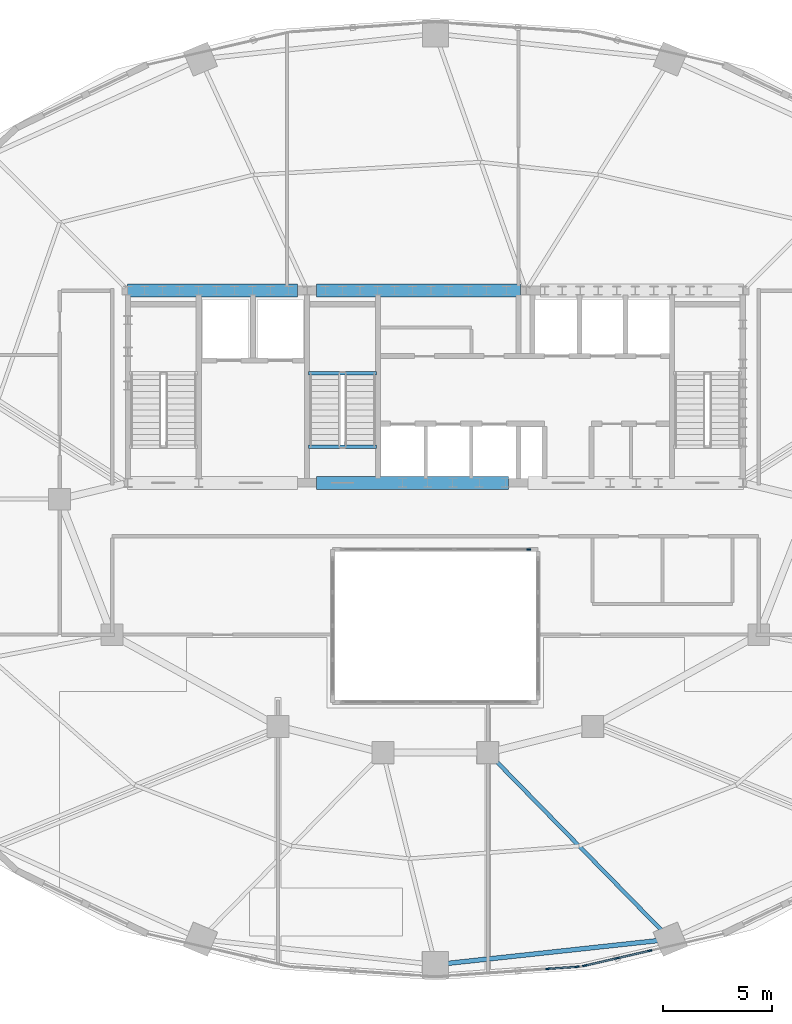
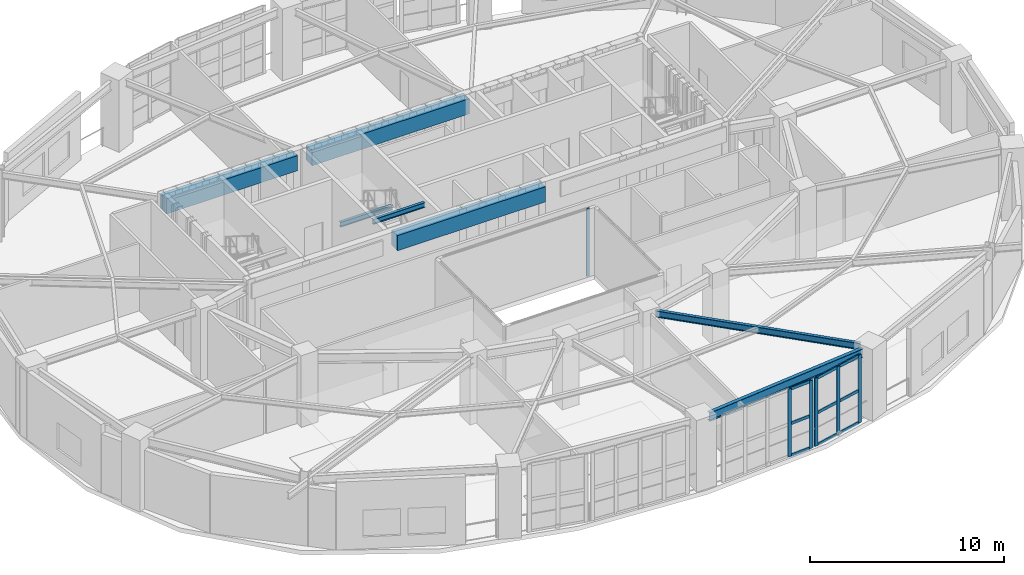
# One storey, part 5 of 16: 15 members, 7 beams, 3 elements without a shape of their own.
"""IFC4 building model written with IfcOpenShell, lengths in metres."""

from ifc_helpers import new_model, si_unit, direction, frame, origin, origin_2d, place, context, subcontext, project, spatial, rectangle, i_section, extrude, material, material_profile, profile_set, type_object, element, aggregate, save


model = new_model("IFC4")

# Units and contexts
model_context = context("Model", 3, precision=1e-05, world=origin(), true_north=direction((0.0, 1.0)))
body_context = subcontext(model_context, "Body", "Model", "MODEL_VIEW")
ifc_project = project(units=[si_unit("LENGTHUNIT", "METRE"), si_unit("AREAUNIT", "SQUARE_METRE"), si_unit("VOLUMEUNIT", "CUBIC_METRE"), si_unit("PLANEANGLEUNIT", "RADIAN"), si_unit("MASSUNIT", "GRAM", prefix="KILO")], contexts=[model_context])

# Site, building, storey
site_placement = place(None, origin())
site = spatial("IfcSite", under=ifc_project, at=site_placement, CompositionType="ELEMENT")
building_placement = place(site_placement, origin())
building = spatial("IfcBuilding", under=site, at=building_placement, Name="Haldorwick Loom Tower", CompositionType="ELEMENT")
storey_placement = place(building_placement, frame((0.0, 0.0, 200.35009765625)))
storey = spatial("IfcBuildingStorey", under=building, at=storey_placement, Name="L54", CompositionType="ELEMENT", Elevation=200.35009765625)

# Curtain wall, member
ifc_material_1 = material(Name="Thermally Broken Anodized Aluminium Curtain Wall Framing", Category="aluminium")
curtain_wall_type_1 = type_object("IfcCurtainWallType", Name="ARC-CW-03", PredefinedType="NOTDEFINED", material=ifc_material_1)
curtain_wall_1_placement = place(storey_placement, origin())
curtain_wall_1 = element("IfcCurtainWall", 1, at=curtain_wall_1_placement, inside=storey, type_object=curtain_wall_type_1, Name="L54 Atrium Glazed Screen N", PredefinedType="NOTDEFINED")
ifc_material_profile_1 = material_profile(ifc_material_1, rectangle(XDim=0.06591796875, YDim=0.18505859375, at=origin_2d()), Name="ALU_MUL_66X185", Category="aluminium")
ifc_profile_set_1 = profile_set([ifc_material_profile_1], Name="Thermally Broken Anodized Aluminium Curtain Wall Framing")
member_type_1 = type_object("IfcMemberType", Name="ARC-CWM-03", PredefinedType="MULLION", material=ifc_profile_set_1)
member_1_placement = place(storey_placement, frame((40.26708984375, 23.699951171875, 0.0), z_axis=(0.0, 0.0, 1.0), x_axis=(0.0, 1.0, 0.0)))
member_1 = element("IfcMember", 2, at=member_1_placement, type_object=member_type_1, Name="CW-03 mullion 6", PredefinedType="MULLION", context=body_context, shape_type="SweptSolid", body=[
    extrude(rectangle(XDim=0.06591796875, YDim=0.18505859375, at=origin_2d()), origin(), (0.0, 0.0, 1.0), 4.260009765625),
])
aggregate(curtain_wall_1, [member_1])

# Curtain wall, members
curtain_wall_type_2 = type_object("IfcCurtainWallType", Name="ARC-CW-04", PredefinedType="NOTDEFINED", material=ifc_material_1)
curtain_wall_2_placement = place(storey_placement, origin())
curtain_wall_2 = element("IfcCurtainWall", 3, at=curtain_wall_2_placement, inside=storey, type_object=curtain_wall_type_2, Name="L54 Facade Curtain Wall CW-04 Bay 19", PredefinedType="NOTDEFINED")
ifc_material_profile_2 = material_profile(ifc_material_1, rectangle(XDim=0.072021484375, YDim=0.205078125, at=origin_2d()), Name="ALU_MUL_72X205", Category="aluminium")
ifc_profile_set_2 = profile_set([ifc_material_profile_2], Name="Thermally Broken Anodized Aluminium Curtain Wall Framing")
member_type_2 = type_object("IfcMemberType", Name="ARC-CWM-04", PredefinedType="MULLION", material=ifc_profile_set_2)
member_2_placement = place(storey_placement, frame((41.15283203125, 4.509033203125, 0.0), z_axis=(0.0, 0.0, 1.0), x_axis=(-0.068513392431, 0.997650196741, 0.0)))
member_2 = element("IfcMember", 4, at=member_2_placement, type_object=member_type_2, Name="CW-04 mullion 4", PredefinedType="MULLION", context=body_context, shape_type="SweptSolid", body=[
    extrude(rectangle(XDim=0.072021484375, YDim=0.205078125, at=origin_2d()), origin(), (0.0, 0.0, 1.0), 4.260009765625),
])
member_3_placement = place(storey_placement, frame((42.48974609375, 4.600830078125, 0.0), z_axis=(0.0, 0.0, 1.0), x_axis=(-0.068513392431, 0.997650196741, 0.0)))
member_3 = element("IfcMember", 5, at=member_3_placement, type_object=member_type_2, Name="CW-04 mullion 5", PredefinedType="MULLION", context=body_context, shape_type="SweptSolid", body=[
    extrude(rectangle(XDim=0.072021484375, YDim=0.205078125, at=origin_2d()), origin(), (0.0, 0.0, 1.0), 4.260009765625),
])

curtain_wall_3_placement = place(storey_placement, origin())
curtain_wall_3 = element("IfcCurtainWall", 6, at=curtain_wall_3_placement, inside=storey, type_object=curtain_wall_type_2, Name="L54 Facade Curtain Wall CW-04 Bay 20", PredefinedType="NOTDEFINED")
member_4_placement = place(storey_placement, frame((42.8369140625, 4.65234375, 0.0), z_axis=(0.0, 0.0, 1.0), x_axis=(-0.224141611493, 0.974556585323, 0.0)))
member_4 = element("IfcMember", 7, at=member_4_placement, type_object=member_type_2, Name="CW-04 mullion 1", PredefinedType="MULLION", context=body_context, shape_type="SweptSolid", body=[
    extrude(rectangle(XDim=0.072021484375, YDim=0.205078125, at=origin_2d()), origin(), (0.0, 0.0, 1.0), 4.260009765625),
])
member_5_placement = place(storey_placement, frame((44.32373046875, 4.994140625, 0.0), z_axis=(0.0, 0.0, 1.0), x_axis=(-0.224141611493, 0.974556585323, 0.0)))
member_5 = element("IfcMember", 8, at=member_5_placement, type_object=member_type_2, Name="CW-04 mullion 2", PredefinedType="MULLION", context=body_context, shape_type="SweptSolid", body=[
    extrude(rectangle(XDim=0.072021484375, YDim=0.205078125, at=origin_2d()), origin(), (0.0, 0.0, 1.0), 4.260009765625),
])
member_6_placement = place(storey_placement, frame((45.810791015625, 5.336181640625, 0.0), z_axis=(0.0, 0.0, 1.0), x_axis=(-0.224141611493, 0.974556585323, 0.0)))
member_6 = element("IfcMember", 9, at=member_6_placement, type_object=member_type_2, Name="CW-04 mullion 3", PredefinedType="MULLION", context=body_context, shape_type="SweptSolid", body=[
    extrude(rectangle(XDim=0.072021484375, YDim=0.205078125, at=origin_2d()), origin(), (0.0, 0.0, 1.0), 4.260009765625),
])

# Member
ifc_material_profile_3 = material_profile(ifc_material_1, rectangle(XDim=0.072021484375, YDim=0.18505859375, at=origin_2d()), Name="ALU_TRN_72X185", Category="aluminium")
ifc_profile_set_3 = profile_set([ifc_material_profile_3], Name="Thermally Broken Anodized Aluminium Curtain Wall Framing")
member_type_3 = type_object("IfcMemberType", Name="ARC-CWT-04", PredefinedType="USERDEFINED", material=ifc_profile_set_3)
member_7_placement = place(storey_placement, frame((41.188720703125, 4.511474609375, 0.035888671875), z_axis=(0.997648520341, 0.068537798773, 0.0), x_axis=(-0.068537798773, 0.997648520341, 0.0)))
member_7 = element("IfcMember", 10, at=member_7_placement, type_object=member_type_3, Name="CW-04 transom 4.1", ObjectType="TRANSOM", PredefinedType="USERDEFINED", context=body_context, shape_type="SweptSolid", body=[
    extrude(rectangle(XDim=0.072021484375, YDim=0.18505859375, at=origin_2d()), origin(), (0.0, 0.0, 1.0), 1.26806640625),
])

member_8_placement = place(storey_placement, frame((41.188720703125, 4.511474609375, 2.0498046875), z_axis=(0.997648520341, 0.068537798773, 0.0), x_axis=(-0.068537798773, 0.997648520341, 0.0)))
member_8 = element("IfcMember", 11, at=member_8_placement, type_object=member_type_3, Name="CW-04 transom 4.2", ObjectType="TRANSOM", PredefinedType="USERDEFINED", context=body_context, shape_type="SweptSolid", body=[
    extrude(rectangle(XDim=0.072021484375, YDim=0.18505859375, at=origin_2d()), origin(), (0.0, 0.0, 1.0), 1.26806640625),
])

member_9_placement = place(storey_placement, frame((41.188720703125, 4.511474609375, 4.223876953125), z_axis=(0.997648520341, 0.068537798773, 0.0), x_axis=(-0.068537798773, 0.997648520341, 0.0)))
member_9 = element("IfcMember", 12, at=member_9_placement, type_object=member_type_3, Name="CW-04 transom 4.3", ObjectType="TRANSOM", PredefinedType="USERDEFINED", context=body_context, shape_type="SweptSolid", body=[
    extrude(rectangle(XDim=0.072021484375, YDim=0.18505859375, at=origin_2d()), origin(), (0.0, 0.0, 1.0), 1.26806640625),
])

aggregate(curtain_wall_2, [member_2, member_3, member_7, member_8, member_9])

member_10_placement = place(storey_placement, frame((42.8720703125, 4.660400390625, 0.035888671875), z_axis=(0.97458049406, 0.2240376321, 0.0), x_axis=(-0.2240376321, 0.97458049406, 0.0)))
member_10 = element("IfcMember", 13, at=member_10_placement, type_object=member_type_3, Name="CW-04 transom 1.1", ObjectType="TRANSOM", PredefinedType="USERDEFINED", context=body_context, shape_type="SweptSolid", body=[
    extrude(rectangle(XDim=0.072021484375, YDim=0.18505859375, at=origin_2d()), origin(), (0.0, 0.0, 1.0), 1.45361328125),
])

member_11_placement = place(storey_placement, frame((42.8720703125, 4.660400390625, 2.0498046875), z_axis=(0.97458049406, 0.2240376321, 0.0), x_axis=(-0.2240376321, 0.97458049406, 0.0)))
member_11 = element("IfcMember", 14, at=member_11_placement, type_object=member_type_3, Name="CW-04 transom 1.2", ObjectType="TRANSOM", PredefinedType="USERDEFINED", context=body_context, shape_type="SweptSolid", body=[
    extrude(rectangle(XDim=0.072021484375, YDim=0.18505859375, at=origin_2d()), origin(), (0.0, 0.0, 1.0), 1.45361328125),
])

member_12_placement = place(storey_placement, frame((42.8720703125, 4.660400390625, 4.223876953125), z_axis=(0.97458049406, 0.2240376321, 0.0), x_axis=(-0.2240376321, 0.97458049406, 0.0)))
member_12 = element("IfcMember", 15, at=member_12_placement, type_object=member_type_3, Name="CW-04 transom 1.3", ObjectType="TRANSOM", PredefinedType="USERDEFINED", context=body_context, shape_type="SweptSolid", body=[
    extrude(rectangle(XDim=0.072021484375, YDim=0.18505859375, at=origin_2d()), origin(), (0.0, 0.0, 1.0), 1.45361328125),
])

member_13_placement = place(storey_placement, frame((44.35888671875, 5.002197265625, 0.035888671875), z_axis=(0.974543812985, 0.224197137745, 0.0), x_axis=(-0.224197137745, 0.974543812985, 0.0)))
member_13 = element("IfcMember", 16, at=member_13_placement, type_object=member_type_3, Name="CW-04 transom 2.1", ObjectType="TRANSOM", PredefinedType="USERDEFINED", context=body_context, shape_type="SweptSolid", body=[
    extrude(rectangle(XDim=0.072021484375, YDim=0.18505859375, at=origin_2d()), origin(), (0.0, 0.0, 1.0), 1.453857421875),
])

member_14_placement = place(storey_placement, frame((44.35888671875, 5.002197265625, 2.0498046875), z_axis=(0.974543812985, 0.224197137745, 0.0), x_axis=(-0.224197137745, 0.974543812985, 0.0)))
member_14 = element("IfcMember", 17, at=member_14_placement, type_object=member_type_3, Name="CW-04 transom 2.2", ObjectType="TRANSOM", PredefinedType="USERDEFINED", context=body_context, shape_type="SweptSolid", body=[
    extrude(rectangle(XDim=0.072021484375, YDim=0.18505859375, at=origin_2d()), origin(), (0.0, 0.0, 1.0), 1.453857421875),
])

member_15_placement = place(storey_placement, frame((44.35888671875, 5.002197265625, 4.223876953125), z_axis=(0.974543812985, 0.224197137745, 0.0), x_axis=(-0.224197137745, 0.974543812985, 0.0)))
member_15 = element("IfcMember", 18, at=member_15_placement, type_object=member_type_3, Name="CW-04 transom 2.3", ObjectType="TRANSOM", PredefinedType="USERDEFINED", context=body_context, shape_type="SweptSolid", body=[
    extrude(rectangle(XDim=0.072021484375, YDim=0.18505859375, at=origin_2d()), origin(), (0.0, 0.0, 1.0), 1.453857421875),
])

aggregate(curtain_wall_3, [member_4, member_5, member_6, member_10, member_11, member_12, member_13, member_14, member_15])

# Beams
ifc_material_2 = material(Name="Concrete C50 (50 MPa)", Category="concrete")
ifc_material_profile_4 = material_profile(ifc_material_2, rectangle(XDim=0.60009765625, YDim=0.949951171875, at=origin_2d()), Name="RC600X950", Category="concrete")
ifc_profile_set_4 = profile_set([ifc_material_profile_4], Name="Concrete C50 (50 MPa)")
beam_type_1 = type_object("IfcBeamType", Name="STR-BM-CB950", PredefinedType="LINTEL", material=ifc_profile_set_4)
beam_1_placement = place(storey_placement, frame((21.89990234375, 35.550048828125, 3.784912109375), z_axis=(1.0, 0.0, 0.0), x_axis=(0.0, 1.0, 0.0)))
element("IfcBeam", 19, at=beam_1_placement, inside=storey, type_object=beam_type_1, Name="L54 Core Coupling Beam CB-N1", PredefinedType="LINTEL", context=body_context, shape_type="SweptSolid", body=[
    extrude(rectangle(XDim=0.60009765625, YDim=0.949951171875, at=origin_2d()), origin(), (0.0, 0.0, 1.0), 7.800048828125),
])
beam_2_placement = place(storey_placement, frame((30.550048828125, 35.550048828125, 3.784912109375), z_axis=(1.0, 0.0, 0.0), x_axis=(0.0, 1.0, 0.0)))
element("IfcBeam", 20, at=beam_2_placement, inside=storey, type_object=beam_type_1, Name="L54 Core Coupling Beam CB-N2", PredefinedType="LINTEL", context=body_context, shape_type="SweptSolid", body=[
    extrude(rectangle(XDim=0.60009765625, YDim=0.949951171875, at=origin_2d()), origin(), (0.0, 0.0, 1.0), 9.349853515625),
])
beam_3_placement = place(storey_placement, frame((30.550048828125, 26.75, 3.784912109375), z_axis=(1.0, 0.0, 0.0), x_axis=(0.0, 1.0, 0.0)))
element("IfcBeam", 21, at=beam_3_placement, inside=storey, type_object=beam_type_1, Name="L54 Core Coupling Beam CB-S2", PredefinedType="LINTEL", context=body_context, shape_type="SweptSolid", body=[
    extrude(rectangle(XDim=0.60009765625, YDim=0.949951171875, at=origin_2d()), origin(), (0.0, 0.0, 1.0), 8.800048828125),
])
ifc_material_3 = material(Name="Steel CSA G40.21 350W", Category="steel")
ifc_material_profile_5 = material_profile(ifc_material_3, i_section(OverallWidth=0.179931640625, OverallDepth=0.4130859375, WebThickness=0.009765625, FlangeThickness=0.01611328125, at=origin_2d()), Name="W410X74", Category="steel")
ifc_profile_set_5 = profile_set([ifc_material_profile_5], Name="Steel CSA G40.21 350W")
beam_type_2 = type_object("IfcBeamType", Name="STR-BM-J410", PredefinedType="JOIST", material=ifc_profile_set_5)
beam_4_placement = place(storey_placement, frame((38.732177734375, 14.060302734375, 4.053466796875), z_axis=(0.699238682239, -0.714888288658, 0.0), x_axis=(0.714888288658, 0.699238682239, 0.0)))
element("IfcBeam", 22, at=beam_4_placement, inside=storey, type_object=beam_type_2, Name="L54 Radial Floor Girder 14", PredefinedType="JOIST", context=body_context, shape_type="SweptSolid", body=[
    extrude(i_section(OverallWidth=0.179931640625, OverallDepth=0.4130859375, WebThickness=0.009765625, FlangeThickness=0.01611328125, at=origin_2d()), origin(), (0.0, 0.0, 1.0), 10.951416015625),
])
ifc_material_profile_6 = material_profile(ifc_material_3, i_section(OverallWidth=0.2119140625, OverallDepth=0.5439453125, WebThickness=0.01318359375, FlangeThickness=0.021240234375, at=origin_2d()), Name="W530X123", Category="steel")
ifc_profile_set_6 = profile_set([ifc_material_profile_6], Name="Steel CSA G40.21 350W")
beam_type_3 = type_object("IfcBeamType", Name="STR-BM-SP530", PredefinedType="SPANDREL", material=ifc_profile_set_6)
beam_5_placement = place(storey_placement, frame((36.51708984375, 4.7509765625, 3.98779296875), z_axis=(0.994187774205, 0.107659972233, 0.0), x_axis=(-0.107659972233, 0.994187774205, 0.0)))
element("IfcBeam", 23, at=beam_5_placement, inside=storey, type_object=beam_type_3, Name="L54 Perimeter Spandrel 13", PredefinedType="SPANDREL", context=body_context, shape_type="SweptSolid", body=[
    extrude(i_section(OverallWidth=0.2119140625, OverallDepth=0.5439453125, WebThickness=0.01318359375, FlangeThickness=0.021240234375, at=origin_2d()), origin(), (0.0, 0.0, 1.0), 9.776123046875),
])
ifc_material_profile_7 = material_profile(ifc_material_3, i_section(OverallWidth=0.166015625, OverallDepth=0.31298828125, WebThickness=0.006591796875, FlangeThickness=0.01123046875, at=origin_2d()), Name="W310X45", Category="steel")
ifc_profile_set_7 = profile_set([ifc_material_profile_7], Name="Steel CSA G40.21 350W")
beam_type_4 = type_object("IfcBeamType", Name="STR-BM-STRM", PredefinedType="BEAM", material=ifc_profile_set_7)
for number, where, z_axis, x_axis, name in (
    (24, (30.18994140625, 28.39990234375, 4.103515625), (1.0, 0.0, 0.0), (0.0, 1.0, 0.0), "L54 Stair ST-03 Landing Edge Trimmer"),
    (25, (30.18994140625, 31.760009765625, 1.893310546875), (1.0, 0.0, 0.0), (0.0, 1.0, 0.0), "L54 Stair ST-03 Half-Landing Trimmer 1"),
):
    element("IfcBeam", number, at=place(storey_placement, frame(where, z_axis=z_axis, x_axis=x_axis)), inside=storey, type_object=beam_type_4, Name=name, PredefinedType="BEAM", context=body_context, shape_type="SweptSolid", body=[
        extrude(i_section(OverallWidth=0.166015625, OverallDepth=0.31298828125, WebThickness=0.006591796875, FlangeThickness=0.01123046875, at=origin_2d()), origin(), (0.0, 0.0, 1.0), 3.1201171875),
    ])

save(model, "model.ifc")
